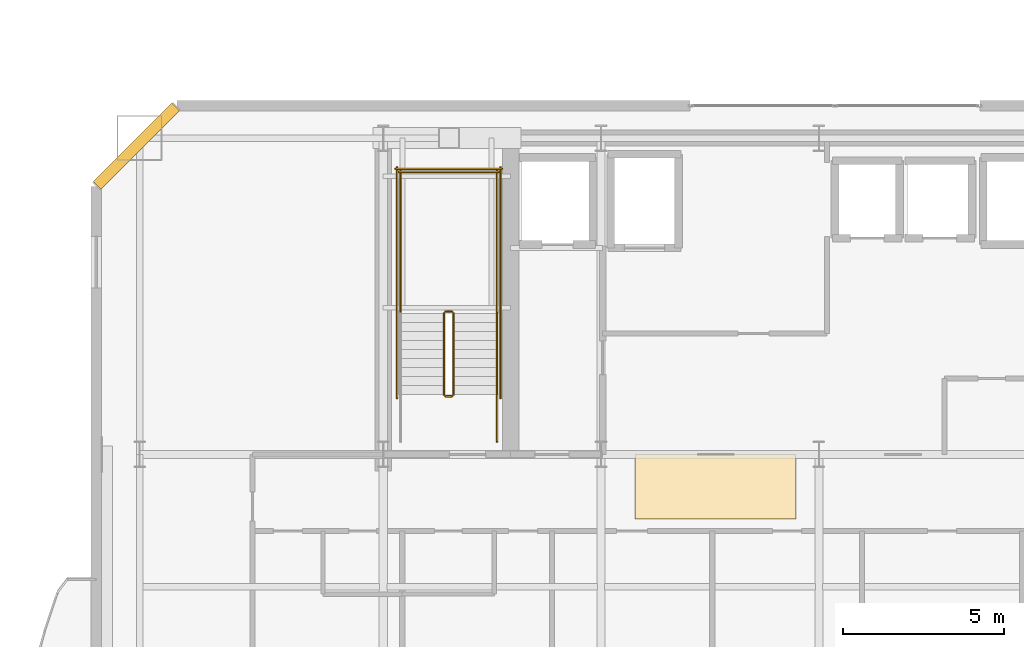
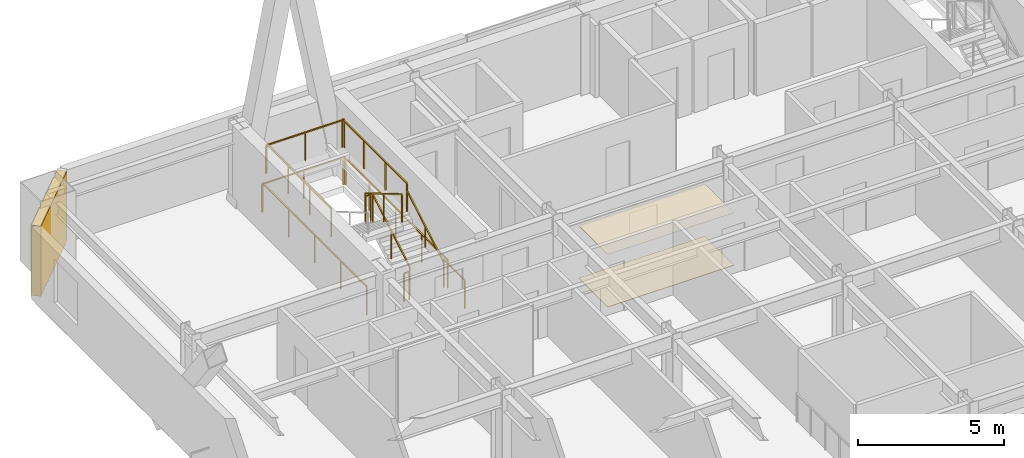
# One storey, part 18 of 22: 12 railings, 2 coverings, 1 shading device.
"""IFC4 building model written with IfcOpenShell, lengths in metres."""

from ifc_helpers import new_model, si_unit, direction, frame, origin, origin_2d, place, context, subcontext, project, spatial, polyline, rectangle, outline, extrude, material, layer, layer_set, type_object, element, save


model = new_model("IFC4")

# Units and contexts
model_context = context("Model", 3, precision=1e-05, world=origin(), true_north=direction((0.0, 1.0)))
body_context = subcontext(model_context, "Body", "Model", "MODEL_VIEW")
ifc_project = project(units=[si_unit("LENGTHUNIT", "METRE"), si_unit("AREAUNIT", "SQUARE_METRE"), si_unit("VOLUMEUNIT", "CUBIC_METRE"), si_unit("PLANEANGLEUNIT", "RADIAN"), si_unit("MASSUNIT", "GRAM", prefix="KILO")], contexts=[model_context])

# Site, building, storey
site_placement = place(None, origin())
site = spatial("IfcSite", under=ifc_project, at=site_placement, CompositionType="ELEMENT")
building_placement = place(site_placement, origin())
building = spatial("IfcBuilding", under=site, at=building_placement, Name="Haevon Station Towers", CompositionType="ELEMENT")
storey_placement = place(building_placement, frame((0.0, 0.0, 113.10009765625)))
storey = spatial("IfcBuildingStorey", under=building, at=storey_placement, Name="L30", CompositionType="ELEMENT", Elevation=113.10009765625)

# Coverings
ifc_material_1 = material(Name="Gypsum acoustic ceiling tile", Category="concrete")
ifc_layer_1 = layer(ifc_material_1, 0.014892578125)
ifc_layer_set_1 = layer_set([ifc_layer_1], Name="Gypsum acoustic ceiling tile")
covering_type_1 = type_object("IfcCoveringType", Name="COV-CEIL15", PredefinedType="CEILING", material=ifc_layer_set_1)
covering_1_placement = place(storey_placement, frame((0.0, 0.0, 2.199951171875)))
element("IfcCovering", 1, at=covering_1_placement, inside=storey, type_object=covering_type_1, Name="L30 Acoustic Corridor Ceiling", PredefinedType="CEILING", context=body_context, shape_type="SweptSolid", body=[
    extrude(outline(polyline([(31.800048828125, 36.199951171875), (36.800048828125, 36.199951171875), (36.800048828125, 38.199951171875), (31.800048828125, 38.199951171875), (31.800048828125, 36.199951171875)])), origin(), (0.0, 0.0, 1.0), 0.014892578125),
])
ifc_material_2 = material(Name="Granite stone paving", Category="masonry")
ifc_layer_2 = layer(ifc_material_2, 0.02001953125)
ifc_layer_set_2 = layer_set([ifc_layer_2], Name="Granite stone paving")
covering_type_2 = type_object("IfcCoveringType", Name="COV-FLR20", PredefinedType="FLOORING", material=ifc_layer_set_2)
covering_2_placement = place(storey_placement, origin())
element("IfcCovering", 2, at=covering_2_placement, inside=storey, type_object=covering_type_2, Name="L30 Corridor Stone Flooring", PredefinedType="FLOORING", context=body_context, shape_type="SweptSolid", body=[
    extrude(outline(polyline([(31.800048828125, 36.199951171875), (36.800048828125, 36.199951171875), (36.800048828125, 38.199951171875), (31.800048828125, 38.199951171875), (31.800048828125, 36.199951171875)])), origin(), (0.0, 0.0, 1.0), 0.02001953125),
])

# Railings
ifc_material_3 = material(Name="Steel S355", Category="steel")
railing_type_1 = type_object("IfcRailingType", Name="GRD-STR1200", PredefinedType="GUARDRAIL", material=ifc_material_3)
railing_1_placement = place(storey_placement, frame((26.179931640625, 40.050048828125, 0.164794921875)))
element("IfcRailing", 3, at=railing_1_placement, inside=storey, type_object=railing_type_1, Name="L30 ST1 Stair Guard 1", PredefinedType="GUARDRAIL", context=body_context, shape_type="SweptSolid", body=[
    extrude(rectangle(XDim=0.048095703125, YDim=0.048095703125, at=origin_2d()), frame((0.0, 0.0, 1.17578125), z_axis=(0.0, 0.86152411907, 0.507716645641), x_axis=(-1.0, 0.0, 0.0)), (0.0, 0.0, 1.0), 2.925048828125),
    extrude(rectangle(XDim=0.0419921875, YDim=0.0419921875, at=origin_2d()), origin(), (0.0, 0.0, 1.0), 1.15185546875),
    extrude(rectangle(XDim=0.0419921875, YDim=0.0419921875, at=origin_2d()), frame((0.0, 1.260009765625, 0.74267578125)), (0.0, 0.0, 1.0), 1.15185546875),
    extrude(rectangle(XDim=0.0419921875, YDim=0.0419921875, at=origin_2d()), frame((0.0, 2.52001953125, 1.485107421875)), (0.0, 0.0, 1.0), 1.15185546875),
])
railing_2_placement = place(storey_placement, frame((26.1298828125, 42.6201171875, 1.64990234375)))
element("IfcRailing", 4, at=railing_2_placement, inside=storey, type_object=railing_type_1, Name="L30 ST1 Stair Guard 2", PredefinedType="GUARDRAIL", context=body_context, shape_type="SweptSolid", body=[
    extrude(rectangle(XDim=0.048095703125, YDim=0.048095703125, at=origin_2d()), frame((0.0, 0.0, 1.17578125), z_axis=(-1.0, 0.0, 0.0), x_axis=(0.0, -1.0, 0.0)), (0.0, 0.0, 1.0), 0.199951171875),
    extrude(rectangle(XDim=0.0419921875, YDim=0.0419921875, at=origin_2d()), origin(), (0.0, 0.0, 1.0), 1.15185546875),
    extrude(rectangle(XDim=0.0419921875, YDim=0.0419921875, at=origin_2d()), frame((-0.199951171875, 0.0, 0.0)), (0.0, 0.0, 1.0), 1.15185546875),
])
for number, where, name in (
    (5, (27.530029296875, 42.570068359375, 1.64990234375), "L30 ST1 Stair Guard 3"),
    (6, (24.530029296875, 42.570068359375, 1.64990234375), "L30 ST1 Stair Guard 4"),
):
    element("IfcRailing", number, at=place(storey_placement, frame(where)), inside=storey, type_object=railing_type_1, Name=name, PredefinedType="GUARDRAIL", context=body_context, shape_type="SweptSolid", body=[
        extrude(rectangle(XDim=0.048095703125, YDim=0.048095703125, at=origin_2d()), frame((0.0, 0.0, 1.17578125), z_axis=(0.0, 1.0, 0.0), x_axis=(-1.0, 0.0, 0.0)), (0.0, 0.0, 1.0), 4.429931640625),
        extrude(rectangle(XDim=0.0419921875, YDim=0.0419921875, at=origin_2d()), origin(), (0.0, 0.0, 1.0), 1.15185546875),
        extrude(rectangle(XDim=0.0419921875, YDim=0.0419921875, at=origin_2d()), frame((0.0, 1.4765625, 0.0)), (0.0, 0.0, 1.0), 1.15185546875),
        extrude(rectangle(XDim=0.0419921875, YDim=0.0419921875, at=origin_2d()), frame((0.0, 2.953369140625, 0.0)), (0.0, 0.0, 1.0), 1.15185546875),
        extrude(rectangle(XDim=0.0419921875, YDim=0.0419921875, at=origin_2d()), frame((0.0, 4.429931640625, 0.0)), (0.0, 0.0, 1.0), 1.15185546875),
    ])
railing_3_placement = place(storey_placement, frame((27.580078125, 46.949951171875, 1.64990234375)))
element("IfcRailing", 7, at=railing_3_placement, inside=storey, type_object=railing_type_1, Name="L30 ST1 Stair Guard 5", PredefinedType="GUARDRAIL", context=body_context, shape_type="SweptSolid", body=[
    extrude(rectangle(XDim=0.048095703125, YDim=0.048095703125, at=origin_2d()), frame((0.0, 0.0, 1.17578125), z_axis=(-1.0, 0.0, 0.0), x_axis=(0.0, -1.0, 0.0)), (0.0, 0.0, 1.0), 3.10009765625),
    extrude(rectangle(XDim=0.0419921875, YDim=0.0419921875, at=origin_2d()), origin(), (0.0, 0.0, 1.0), 1.15185546875),
    extrude(rectangle(XDim=0.0419921875, YDim=0.0419921875, at=origin_2d()), frame((-1.550048828125, 0.0, 0.0)), (0.0, 0.0, 1.0), 1.15185546875),
    extrude(rectangle(XDim=0.0419921875, YDim=0.0419921875, at=origin_2d()), frame((-3.10009765625, 0.0, 0.0)), (0.0, 0.0, 1.0), 1.15185546875),
])
railing_4_placement = place(storey_placement, frame((25.8798828125, 42.570068359375, 1.81494140625)))
element("IfcRailing", 8, at=railing_4_placement, inside=storey, type_object=railing_type_1, Name="L30 ST1 Stair Guard 6", PredefinedType="GUARDRAIL", context=body_context, shape_type="SweptSolid", body=[
    extrude(rectangle(XDim=0.048095703125, YDim=0.048095703125, at=origin_2d()), frame((0.0, 0.0, 1.17578125), z_axis=(0.0, -0.861560626758, 0.507654692109), x_axis=(1.0, 0.0, 0.0)), (0.0, 0.0, 1.0), 2.925048828125),
    extrude(rectangle(XDim=0.0419921875, YDim=0.0419921875, at=origin_2d()), origin(), (0.0, 0.0, 1.0), 1.15185546875),
    extrude(rectangle(XDim=0.0419921875, YDim=0.0419921875, at=origin_2d()), frame((0.0, -1.260009765625, 0.742431640625)), (0.0, 0.0, 1.0), 1.15185546875),
    extrude(rectangle(XDim=0.0419921875, YDim=0.0419921875, at=origin_2d()), frame((0.0, -2.52001953125, 1.48486328125)), (0.0, 0.0, 1.0), 1.15185546875),
])
railing_5_placement = place(storey_placement, frame((26.1298828125, 40.0, 0.0)))
element("IfcRailing", 9, at=railing_5_placement, inside=storey, type_object=railing_type_1, Name="L30 ST1 Stair Guard 7", PredefinedType="GUARDRAIL", context=body_context, shape_type="SweptSolid", body=[
    extrude(rectangle(XDim=0.048095703125, YDim=0.048095703125, at=origin_2d()), frame((0.0, 0.0, 1.17578125), z_axis=(-1.0, 0.0, 0.0), x_axis=(0.0, -1.0, 0.0)), (0.0, 0.0, 1.0), 0.199951171875),
    extrude(rectangle(XDim=0.0419921875, YDim=0.0419921875, at=origin_2d()), origin(), (0.0, 0.0, 1.0), 1.15185546875),
    extrude(rectangle(XDim=0.0419921875, YDim=0.0419921875, at=origin_2d()), frame((-0.199951171875, 0.0, 0.0)), (0.0, 0.0, 1.0), 1.15185546875),
])
railing_6_placement = place(storey_placement, frame((27.530029296875, 38.60009765625, 0.0)))
element("IfcRailing", 10, at=railing_6_placement, inside=storey, type_object=railing_type_1, Name="L30 ST1 Stair Guard 8", PredefinedType="GUARDRAIL", context=body_context, shape_type="SweptSolid", body=[
    extrude(rectangle(XDim=0.048095703125, YDim=0.048095703125, at=origin_2d()), frame((0.0, 0.0, 1.17578125), z_axis=(0.0, 1.0, 0.0), x_axis=(-1.0, 0.0, 0.0)), (0.0, 0.0, 1.0), 1.449951171875),
    extrude(rectangle(XDim=0.0419921875, YDim=0.0419921875, at=origin_2d()), origin(), (0.0, 0.0, 1.0), 1.15185546875),
    extrude(rectangle(XDim=0.0419921875, YDim=0.0419921875, at=origin_2d()), frame((0.0, 1.449951171875, 0.0)), (0.0, 0.0, 1.0), 1.15185546875),
])
for number, where, name in (
    (11, (27.6298828125, 39.949951171875, 0.0), "L30 ST1 Stair Guard 10"),
    (12, (24.429931640625, 39.949951171875, 0.0), "L30 ST1 Stair Guard 11"),
):
    element("IfcRailing", number, at=place(storey_placement, frame(where)), inside=storey, type_object=railing_type_1, Name=name, PredefinedType="GUARDRAIL", context=body_context, shape_type="SweptSolid", body=[
        extrude(rectangle(XDim=0.048095703125, YDim=0.048095703125, at=origin_2d()), frame((0.0, 0.0, 1.17578125), z_axis=(0.0, 1.0, 0.0), x_axis=(-1.0, 0.0, 0.0)), (0.0, 0.0, 1.0), 7.150146484375),
        extrude(rectangle(XDim=0.0419921875, YDim=0.0419921875, at=origin_2d()), origin(), (0.0, 0.0, 1.0), 1.15185546875),
        extrude(rectangle(XDim=0.0419921875, YDim=0.0419921875, at=origin_2d()), frame((0.0, 1.78759765625, 0.0)), (0.0, 0.0, 1.0), 1.15185546875),
        extrude(rectangle(XDim=0.0419921875, YDim=0.0419921875, at=origin_2d()), frame((0.0, 3.5751953125, 0.0)), (0.0, 0.0, 1.0), 1.15185546875),
        extrude(rectangle(XDim=0.0419921875, YDim=0.0419921875, at=origin_2d()), frame((0.0, 5.362548828125, 0.0)), (0.0, 0.0, 1.0), 1.15185546875),
        extrude(rectangle(XDim=0.0419921875, YDim=0.0419921875, at=origin_2d()), frame((0.0, 7.150146484375, 0.0)), (0.0, 0.0, 1.0), 1.15185546875),
    ])
railing_7_placement = place(storey_placement, frame((27.679931640625, 47.050048828125, 0.0)))
element("IfcRailing", 13, at=railing_7_placement, inside=storey, type_object=railing_type_1, Name="L30 ST1 Stair Guard 12", PredefinedType="GUARDRAIL", context=body_context, shape_type="SweptSolid", body=[
    extrude(rectangle(XDim=0.048095703125, YDim=0.048095703125, at=origin_2d()), frame((0.0, 0.0, 1.17578125), z_axis=(-1.0, 0.0, 0.0), x_axis=(0.0, -1.0, 0.0)), (0.0, 0.0, 1.0), 3.300048828125),
    extrude(rectangle(XDim=0.0419921875, YDim=0.0419921875, at=origin_2d()), origin(), (0.0, 0.0, 1.0), 1.15185546875),
    extrude(rectangle(XDim=0.0419921875, YDim=0.0419921875, at=origin_2d()), frame((-1.64990234375, 0.0, 0.0)), (0.0, 0.0, 1.0), 1.15185546875),
    extrude(rectangle(XDim=0.0419921875, YDim=0.0419921875, at=origin_2d()), frame((-3.300048828125, 0.0, 0.0)), (0.0, 0.0, 1.0), 1.15185546875),
])
railing_type_2 = type_object("IfcRailingType", Name="HND-STR900", PredefinedType="HANDRAIL", material=ifc_material_3)
railing_8_placement = place(storey_placement, frame((27.530029296875, 40.050048828125, 0.164794921875)))
element("IfcRailing", 14, at=railing_8_placement, inside=storey, type_object=railing_type_2, Name="L30 ST1 Stair Handrail 1", PredefinedType="HANDRAIL", context=body_context, shape_type="SweptSolid", body=[
    extrude(rectangle(XDim=0.048095703125, YDim=0.048095703125, at=origin_2d()), frame((0.0, 0.0, 0.8759765625), z_axis=(0.0, 0.86152411907, 0.507716645641), x_axis=(-1.0, 0.0, 0.0)), (0.0, 0.0, 1.0), 2.925048828125),
    extrude(rectangle(XDim=0.0419921875, YDim=0.0419921875, at=origin_2d()), origin(), (0.0, 0.0, 1.0), 0.851806640625),
    extrude(rectangle(XDim=0.0419921875, YDim=0.0419921875, at=origin_2d()), frame((0.0, 1.260009765625, 0.74267578125)), (0.0, 0.0, 1.0), 0.851806640625),
    extrude(rectangle(XDim=0.0419921875, YDim=0.0419921875, at=origin_2d()), frame((0.0, 2.52001953125, 1.485107421875)), (0.0, 0.0, 1.0), 0.851806640625),
])

# Shading device
ifc_material_4 = material(Name="Anodised aluminium 6063-T6", Category="aluminium")
ifc_layer_3 = layer(ifc_material_4, 0.139892578125)
ifc_layer_set_3 = layer_set([ifc_layer_3], Name="Anodised aluminium 6063-T6")
shading_device_type = type_object("IfcShadingDeviceType", Name="SHD-WIND-BAFFLE", PredefinedType="SHUTTER", material=ifc_layer_set_3)
shading_device_placement = place(storey_placement, frame((16.35009765625, 47.75, 0.0498046875), z_axis=(0.0, 0.0, 1.0), x_axis=(0.707106781187, 0.707106781187, 0.0)))
element("IfcShadingDevice", 15, at=shading_device_placement, inside=storey, type_object=shading_device_type, Name="Tower 1 L30 Wind-Corner Aerofoil Baffle NWC", PredefinedType="SHUTTER", context=body_context, shape_type="SweptSolid", body=[
    extrude(rectangle(XDim=3.435546875, YDim=0.340087890625, at=origin_2d()), origin(), (0.0, 0.0, 1.0), 2.929931640625),
])

save(model, "model.ifc")
